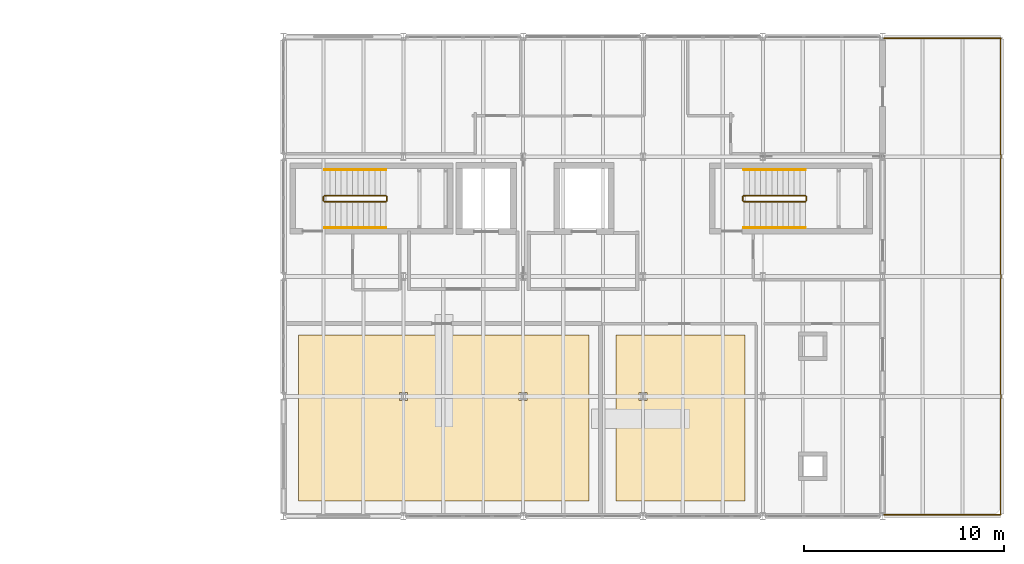
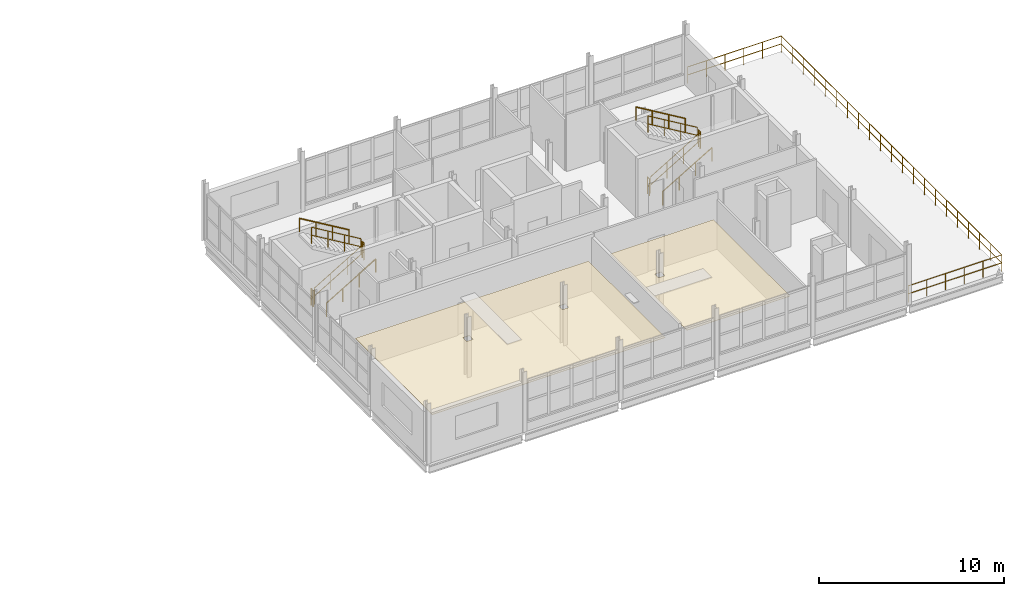
# One storey, part 23 of 23: 15 railings, 2 coverings.
"""IFC4 building model written with IfcOpenShell, lengths in metres."""

from ifc_helpers import new_model, si_unit, direction, frame, origin, origin_2d, place, context, subcontext, project, spatial, polyline, circle, outline, extrude, material, layer, layer_set, type_object, element, save


model = new_model("IFC4")

# Units and contexts
model_context = context("Model", 3, precision=1e-05, world=origin(), true_north=direction((0.0, 1.0)))
body_context = subcontext(model_context, "Body", "Model", "MODEL_VIEW")
ifc_project = project(units=[si_unit("LENGTHUNIT", "METRE"), si_unit("AREAUNIT", "SQUARE_METRE"), si_unit("VOLUMEUNIT", "CUBIC_METRE"), si_unit("PLANEANGLEUNIT", "RADIAN"), si_unit("MASSUNIT", "GRAM", prefix="KILO")], contexts=[model_context])

# Site, building, storey
site_placement = place(None, origin())
site = spatial("IfcSite", under=ifc_project, at=site_placement, CompositionType="ELEMENT")
building_placement = place(site_placement, origin())
building = spatial("IfcBuilding", under=site, at=building_placement, Name="Siltcreek Boulevard Central Fire Station", CompositionType="ELEMENT")
storey_placement = place(building_placement, frame((0.0, 0.0, 14.0)))
storey = spatial("IfcBuildingStorey", under=building, at=storey_placement, Name="L04", CompositionType="ELEMENT", Elevation=14.0)

# Coverings
ifc_material_1 = material(Name="Mineral-fiber acoustic ceiling tile", Category="gypsum")
ifc_layer = layer(ifc_material_1, 0.02490234375, Name="Mineral-fiber acoustic ceiling tile")
ifc_layer_set = layer_set([ifc_layer], Name="Mineral-fiber acoustic ceiling tile")
covering_type = type_object("IfcCoveringType", Name="COV_CEIL_ACT", PredefinedType="CEILING", material=ifc_layer_set)
covering_1_placement = place(storey_placement, frame((0.0, 0.0, 2.419921875)))
element("IfcCovering", 1, at=covering_1_placement, inside=storey, type_object=covering_type, Name="L04 Fire Alarm 911 Dispatch Floor acoustic ceiling ACT-035", PredefinedType="CEILING", context=body_context, shape_type="SweptSolid", body=[
    extrude(outline(polyline([(124.949951171875, 88.949951171875), (139.5, 88.949951171875), (139.5, 97.260009765625), (124.949951171875, 97.260009765625), (124.949951171875, 88.949951171875)]), holes=[polyline([(130.0, 94.0), (130.39990234375, 94.0), (130.39990234375, 94.39990234375), (130.0, 94.39990234375), (130.0, 94.0)]), polyline([(136.0, 94.0), (136.39990234375, 94.0), (136.39990234375, 94.39990234375), (136.0, 94.39990234375), (136.0, 94.0)])]), origin(), (0.0, 0.0, 1.0), 0.025146484375),
])
covering_2_placement = place(storey_placement, frame((0.0, 0.0, 2.419921875)))
element("IfcCovering", 2, at=covering_2_placement, inside=storey, type_object=covering_type, Name="L04 Tactical CAD Operations Room acoustic ceiling ACT-036", PredefinedType="CEILING", context=body_context, shape_type="SweptSolid", body=[
    extrude(outline(polyline([(140.85009765625, 88.949951171875), (147.300048828125, 88.949951171875), (147.300048828125, 97.260009765625), (140.85009765625, 97.260009765625), (140.85009765625, 88.949951171875)]), holes=[polyline([(142.0, 94.0), (142.39990234375, 94.0), (142.39990234375, 94.39990234375), (142.0, 94.39990234375), (142.0, 94.0)])]), origin(), (0.0, 0.0, 1.0), 0.025146484375),
])

# Railings
ifc_material_2 = material(Name="Painted galvanized steel stair guard", Category="steel")
railing_type_1 = type_object("IfcRailingType", Name="RL_ST_GUARD", PredefinedType="BALUSTRADE", material=ifc_material_2)
railing_1_placement = place(storey_placement, frame((126.25, 103.949951171875, 0.166748046875)))
element("IfcRailing", 3, at=railing_1_placement, inside=storey, type_object=railing_type_1, Name="L04 ST-V5A stair guard 1", PredefinedType="BALUSTRADE", context=body_context, shape_type="SweptSolid", body=[
    extrude(circle(Radius=0.02392578125, at=origin_2d()), frame((0.0, 0.0, 1.076171875), z_axis=(0.859308565015, 0.0, 0.511457515432), x_axis=(0.0, 1.0, 0.0)), (0.0, 0.0, 1.0), 3.58447265625),
    extrude(circle(Radius=0.02392578125, at=origin_2d()), frame((0.0, 0.0, 0.550048828125), z_axis=(0.859308565015, 0.0, 0.511457515432), x_axis=(0.0, 1.0, 0.0)), (0.0, 0.0, 1.0), 3.58447265625),
    extrude(circle(Radius=0.02099609375, at=origin_2d()), origin(), (0.0, 0.0, 1.0), 1.052001953125),
    extrude(circle(Radius=0.02099609375, at=origin_2d()), frame((1.026611328125, 0.0, 0.611083984375)), (0.0, 0.0, 1.0), 1.052001953125),
    extrude(circle(Radius=0.02099609375, at=origin_2d()), frame((2.053466796875, 0.0, 1.22216796875)), (0.0, 0.0, 1.0), 1.052001953125),
    extrude(circle(Radius=0.02099609375, at=origin_2d()), frame((3.080078125, 0.0, 1.833251953125)), (0.0, 0.0, 1.0), 1.052001953125),
])
railing_2_placement = place(storey_placement, frame((129.3798828125, 104.0, 2.0)))
element("IfcRailing", 4, at=railing_2_placement, inside=storey, type_object=railing_type_1, Name="L04 ST-V5A stair guard 2", PredefinedType="BALUSTRADE", context=body_context, shape_type="SweptSolid", body=[
    extrude(circle(Radius=0.02392578125, at=origin_2d()), frame((0.0, 0.0, 1.076171875), z_axis=(0.0, 1.0, 0.0), x_axis=(-1.0, 0.0, 0.0)), (0.0, 0.0, 1.0), 0.199951171875),
    extrude(circle(Radius=0.02392578125, at=origin_2d()), frame((0.0, 0.0, 0.550048828125), z_axis=(0.0, 1.0, 0.0), x_axis=(-1.0, 0.0, 0.0)), (0.0, 0.0, 1.0), 0.199951171875),
    extrude(circle(Radius=0.02099609375, at=origin_2d()), origin(), (0.0, 0.0, 1.0), 1.052001953125),
    extrude(circle(Radius=0.02099609375, at=origin_2d()), frame((0.0, 0.199951171875, 0.0)), (0.0, 0.0, 1.0), 1.052001953125),
])
railing_3_placement = place(storey_placement, frame((129.330078125, 104.25, 2.166748046875)))
element("IfcRailing", 5, at=railing_3_placement, inside=storey, type_object=railing_type_1, Name="L04 ST-V5A stair guard 3", PredefinedType="BALUSTRADE", context=body_context, shape_type="SweptSolid", body=[
    extrude(circle(Radius=0.02392578125, at=origin_2d()), frame((0.0, 0.0, 1.076171875), z_axis=(-0.859308565015, 0.0, 0.511457515432), x_axis=(0.0, -1.0, 0.0)), (0.0, 0.0, 1.0), 3.58447265625),
    extrude(circle(Radius=0.02392578125, at=origin_2d()), frame((0.0, 0.0, 0.550048828125), z_axis=(-0.859308565015, 0.0, 0.511457515432), x_axis=(0.0, -1.0, 0.0)), (0.0, 0.0, 1.0), 3.58447265625),
    extrude(circle(Radius=0.02099609375, at=origin_2d()), origin(), (0.0, 0.0, 1.0), 1.052001953125),
    extrude(circle(Radius=0.02099609375, at=origin_2d()), frame((-1.026611328125, 0.0, 0.611083984375)), (0.0, 0.0, 1.0), 1.052001953125),
    extrude(circle(Radius=0.02099609375, at=origin_2d()), frame((-2.053466796875, 0.0, 1.22216796875)), (0.0, 0.0, 1.0), 1.052001953125),
    extrude(circle(Radius=0.02099609375, at=origin_2d()), frame((-3.080078125, 0.0, 1.833251953125)), (0.0, 0.0, 1.0), 1.052001953125),
])
railing_4_placement = place(storey_placement, frame((126.199951171875, 104.0, 0.0)))
element("IfcRailing", 6, at=railing_4_placement, inside=storey, type_object=railing_type_1, Name="L04 ST-V5A stair guard 4", PredefinedType="BALUSTRADE", context=body_context, shape_type="SweptSolid", body=[
    extrude(circle(Radius=0.02392578125, at=origin_2d()), frame((0.0, 0.0, 1.076171875), z_axis=(0.0, 1.0, 0.0), x_axis=(-1.0, 0.0, 0.0)), (0.0, 0.0, 1.0), 0.199951171875),
    extrude(circle(Radius=0.02392578125, at=origin_2d()), frame((0.0, 0.0, 0.550048828125), z_axis=(0.0, 1.0, 0.0), x_axis=(-1.0, 0.0, 0.0)), (0.0, 0.0, 1.0), 0.199951171875),
    extrude(circle(Radius=0.02099609375, at=origin_2d()), origin(), (0.0, 0.0, 1.0), 1.052001953125),
    extrude(circle(Radius=0.02099609375, at=origin_2d()), frame((0.0, 0.199951171875, 0.0)), (0.0, 0.0, 1.0), 1.052001953125),
])
railing_5_placement = place(storey_placement, frame((147.25, 103.949951171875, 0.166748046875)))
element("IfcRailing", 7, at=railing_5_placement, inside=storey, type_object=railing_type_1, Name="L04 ST-V5B stair guard 1", PredefinedType="BALUSTRADE", context=body_context, shape_type="SweptSolid", body=[
    extrude(circle(Radius=0.02392578125, at=origin_2d()), frame((0.0, 0.0, 1.076171875), z_axis=(0.859308565015, 0.0, 0.511457515432), x_axis=(0.0, 1.0, 0.0)), (0.0, 0.0, 1.0), 3.58447265625),
    extrude(circle(Radius=0.02392578125, at=origin_2d()), frame((0.0, 0.0, 0.550048828125), z_axis=(0.859308565015, 0.0, 0.511457515432), x_axis=(0.0, 1.0, 0.0)), (0.0, 0.0, 1.0), 3.58447265625),
    extrude(circle(Radius=0.02099609375, at=origin_2d()), origin(), (0.0, 0.0, 1.0), 1.052001953125),
    extrude(circle(Radius=0.02099609375, at=origin_2d()), frame((1.026611328125, 0.0, 0.611083984375)), (0.0, 0.0, 1.0), 1.052001953125),
    extrude(circle(Radius=0.02099609375, at=origin_2d()), frame((2.053466796875, 0.0, 1.22216796875)), (0.0, 0.0, 1.0), 1.052001953125),
    extrude(circle(Radius=0.02099609375, at=origin_2d()), frame((3.080078125, 0.0, 1.833251953125)), (0.0, 0.0, 1.0), 1.052001953125),
])
railing_6_placement = place(storey_placement, frame((150.3798828125, 104.0, 2.0)))
element("IfcRailing", 8, at=railing_6_placement, inside=storey, type_object=railing_type_1, Name="L04 ST-V5B stair guard 2", PredefinedType="BALUSTRADE", context=body_context, shape_type="SweptSolid", body=[
    extrude(circle(Radius=0.02392578125, at=origin_2d()), frame((0.0, 0.0, 1.076171875), z_axis=(0.0, 1.0, 0.0), x_axis=(-1.0, 0.0, 0.0)), (0.0, 0.0, 1.0), 0.199951171875),
    extrude(circle(Radius=0.02392578125, at=origin_2d()), frame((0.0, 0.0, 0.550048828125), z_axis=(0.0, 1.0, 0.0), x_axis=(-1.0, 0.0, 0.0)), (0.0, 0.0, 1.0), 0.199951171875),
    extrude(circle(Radius=0.02099609375, at=origin_2d()), origin(), (0.0, 0.0, 1.0), 1.052001953125),
    extrude(circle(Radius=0.02099609375, at=origin_2d()), frame((0.0, 0.199951171875, 0.0)), (0.0, 0.0, 1.0), 1.052001953125),
])
railing_7_placement = place(storey_placement, frame((150.330078125, 104.25, 2.166748046875)))
element("IfcRailing", 9, at=railing_7_placement, inside=storey, type_object=railing_type_1, Name="L04 ST-V5B stair guard 3", PredefinedType="BALUSTRADE", context=body_context, shape_type="SweptSolid", body=[
    extrude(circle(Radius=0.02392578125, at=origin_2d()), frame((0.0, 0.0, 1.076171875), z_axis=(-0.859308565015, 0.0, 0.511457515432), x_axis=(0.0, -1.0, 0.0)), (0.0, 0.0, 1.0), 3.58447265625),
    extrude(circle(Radius=0.02392578125, at=origin_2d()), frame((0.0, 0.0, 0.550048828125), z_axis=(-0.859308565015, 0.0, 0.511457515432), x_axis=(0.0, -1.0, 0.0)), (0.0, 0.0, 1.0), 3.58447265625),
    extrude(circle(Radius=0.02099609375, at=origin_2d()), origin(), (0.0, 0.0, 1.0), 1.052001953125),
    extrude(circle(Radius=0.02099609375, at=origin_2d()), frame((-1.026611328125, 0.0, 0.611083984375)), (0.0, 0.0, 1.0), 1.052001953125),
    extrude(circle(Radius=0.02099609375, at=origin_2d()), frame((-2.053466796875, 0.0, 1.22216796875)), (0.0, 0.0, 1.0), 1.052001953125),
    extrude(circle(Radius=0.02099609375, at=origin_2d()), frame((-3.080078125, 0.0, 1.833251953125)), (0.0, 0.0, 1.0), 1.052001953125),
])
railing_8_placement = place(storey_placement, frame((147.199951171875, 104.0, 0.0)))
element("IfcRailing", 10, at=railing_8_placement, inside=storey, type_object=railing_type_1, Name="L04 ST-V5B stair guard 4", PredefinedType="BALUSTRADE", context=body_context, shape_type="SweptSolid", body=[
    extrude(circle(Radius=0.02392578125, at=origin_2d()), frame((0.0, 0.0, 1.076171875), z_axis=(0.0, 1.0, 0.0), x_axis=(-1.0, 0.0, 0.0)), (0.0, 0.0, 1.0), 0.199951171875),
    extrude(circle(Radius=0.02392578125, at=origin_2d()), frame((0.0, 0.0, 0.550048828125), z_axis=(0.0, 1.0, 0.0), x_axis=(-1.0, 0.0, 0.0)), (0.0, 0.0, 1.0), 0.199951171875),
    extrude(circle(Radius=0.02099609375, at=origin_2d()), origin(), (0.0, 0.0, 1.0), 1.052001953125),
    extrude(circle(Radius=0.02099609375, at=origin_2d()), frame((0.0, 0.199951171875, 0.0)), (0.0, 0.0, 1.0), 1.052001953125),
])
ifc_material_3 = material(Name="Brushed stainless steel stair handrail", Category="steel")
railing_type_2 = type_object("IfcRailingType", Name="RL_ST_HAND", PredefinedType="HANDRAIL", material=ifc_material_3)
railing_9_placement = place(storey_placement, frame((126.25, 102.64990234375, 0.166748046875)))
element("IfcRailing", 11, at=railing_9_placement, inside=storey, type_object=railing_type_2, Name="L04 ST-V5A stair handrail 1", PredefinedType="HANDRAIL", context=body_context, shape_type="SweptSolid", body=[
    extrude(circle(Radius=0.02392578125, at=origin_2d()), frame((0.0, 0.0, 0.8759765625), z_axis=(0.859308565015, 0.0, 0.511457515432), x_axis=(0.0, 1.0, 0.0)), (0.0, 0.0, 1.0), 3.58447265625),
    extrude(circle(Radius=0.02099609375, at=origin_2d()), origin(), (0.0, 0.0, 1.0), 0.851806640625),
    extrude(circle(Radius=0.02099609375, at=origin_2d()), frame((1.026611328125, 0.0, 0.611083984375)), (0.0, 0.0, 1.0), 0.851806640625),
    extrude(circle(Radius=0.02099609375, at=origin_2d()), frame((2.053466796875, 0.0, 1.22216796875)), (0.0, 0.0, 1.0), 0.851806640625),
    extrude(circle(Radius=0.02099609375, at=origin_2d()), frame((3.080078125, 0.0, 1.833251953125)), (0.0, 0.0, 1.0), 0.851806640625),
])
railing_10_placement = place(storey_placement, frame((129.330078125, 105.550048828125, 2.166748046875)))
element("IfcRailing", 12, at=railing_10_placement, inside=storey, type_object=railing_type_2, Name="L04 ST-V5A stair handrail 2", PredefinedType="HANDRAIL", context=body_context, shape_type="SweptSolid", body=[
    extrude(circle(Radius=0.02392578125, at=origin_2d()), frame((0.0, 0.0, 0.8759765625), z_axis=(-0.859308565015, 0.0, 0.511457515432), x_axis=(0.0, -1.0, 0.0)), (0.0, 0.0, 1.0), 3.58447265625),
    extrude(circle(Radius=0.02099609375, at=origin_2d()), origin(), (0.0, 0.0, 1.0), 0.851806640625),
    extrude(circle(Radius=0.02099609375, at=origin_2d()), frame((-1.026611328125, 0.0, 0.611083984375)), (0.0, 0.0, 1.0), 0.851806640625),
    extrude(circle(Radius=0.02099609375, at=origin_2d()), frame((-2.053466796875, 0.0, 1.22216796875)), (0.0, 0.0, 1.0), 0.851806640625),
    extrude(circle(Radius=0.02099609375, at=origin_2d()), frame((-3.080078125, 0.0, 1.833251953125)), (0.0, 0.0, 1.0), 0.851806640625),
])
railing_11_placement = place(storey_placement, frame((147.25, 102.64990234375, 0.166748046875)))
element("IfcRailing", 13, at=railing_11_placement, inside=storey, type_object=railing_type_2, Name="L04 ST-V5B stair handrail 1", PredefinedType="HANDRAIL", context=body_context, shape_type="SweptSolid", body=[
    extrude(circle(Radius=0.02392578125, at=origin_2d()), frame((0.0, 0.0, 0.8759765625), z_axis=(0.859308565015, 0.0, 0.511457515432), x_axis=(0.0, 1.0, 0.0)), (0.0, 0.0, 1.0), 3.58447265625),
    extrude(circle(Radius=0.02099609375, at=origin_2d()), origin(), (0.0, 0.0, 1.0), 0.851806640625),
    extrude(circle(Radius=0.02099609375, at=origin_2d()), frame((1.026611328125, 0.0, 0.611083984375)), (0.0, 0.0, 1.0), 0.851806640625),
    extrude(circle(Radius=0.02099609375, at=origin_2d()), frame((2.053466796875, 0.0, 1.22216796875)), (0.0, 0.0, 1.0), 0.851806640625),
    extrude(circle(Radius=0.02099609375, at=origin_2d()), frame((3.080078125, 0.0, 1.833251953125)), (0.0, 0.0, 1.0), 0.851806640625),
])
railing_12_placement = place(storey_placement, frame((150.330078125, 105.550048828125, 2.166748046875)))
element("IfcRailing", 14, at=railing_12_placement, inside=storey, type_object=railing_type_2, Name="L04 ST-V5B stair handrail 2", PredefinedType="HANDRAIL", context=body_context, shape_type="SweptSolid", body=[
    extrude(circle(Radius=0.02392578125, at=origin_2d()), frame((0.0, 0.0, 0.8759765625), z_axis=(-0.859308565015, 0.0, 0.511457515432), x_axis=(0.0, -1.0, 0.0)), (0.0, 0.0, 1.0), 3.58447265625),
    extrude(circle(Radius=0.02099609375, at=origin_2d()), origin(), (0.0, 0.0, 1.0), 0.851806640625),
    extrude(circle(Radius=0.02099609375, at=origin_2d()), frame((-1.026611328125, 0.0, 0.611083984375)), (0.0, 0.0, 1.0), 0.851806640625),
    extrude(circle(Radius=0.02099609375, at=origin_2d()), frame((-2.053466796875, 0.0, 1.22216796875)), (0.0, 0.0, 1.0), 0.851806640625),
    extrude(circle(Radius=0.02099609375, at=origin_2d()), frame((-3.080078125, 0.0, 1.833251953125)), (0.0, 0.0, 1.0), 0.851806640625),
])
ifc_material_4 = material(Name="Galvanized painted steel guardrail", Category="steel")
railing_type_3 = type_object("IfcRailingType", Name="RL_TER_GUARD", PredefinedType="BALUSTRADE", material=ifc_material_4)
railing_13_placement = place(storey_placement, frame((154.280029296875, 88.280029296875, 0.0)))
element("IfcRailing", 15, at=railing_13_placement, inside=storey, type_object=railing_type_3, Name="L04 V5 outdoor terrace perimeter guard 1.1", PredefinedType="BALUSTRADE", context=body_context, shape_type="SweptSolid", body=[
    extrude(circle(Radius=0.02392578125, at=origin_2d()), frame((0.0, 0.0, 1.076171875), z_axis=(1.0, 0.0, 0.0), x_axis=(0.0, 1.0, 0.0)), (0.0, 0.0, 1.0), 5.840087890625),
    extrude(circle(Radius=0.02392578125, at=origin_2d()), frame((0.0, 0.0, 0.550048828125), z_axis=(1.0, 0.0, 0.0), x_axis=(0.0, 1.0, 0.0)), (0.0, 0.0, 1.0), 5.840087890625),
    extrude(circle(Radius=0.02099609375, at=origin_2d()), origin(), (0.0, 0.0, 1.0), 1.052001953125),
    extrude(circle(Radius=0.02099609375, at=origin_2d()), frame((1.16796875, 0.0, 0.0)), (0.0, 0.0, 1.0), 1.052001953125),
    extrude(circle(Radius=0.02099609375, at=origin_2d()), frame((2.3359375, 0.0, 0.0)), (0.0, 0.0, 1.0), 1.052001953125),
    extrude(circle(Radius=0.02099609375, at=origin_2d()), frame((3.504150390625, 0.0, 0.0)), (0.0, 0.0, 1.0), 1.052001953125),
    extrude(circle(Radius=0.02099609375, at=origin_2d()), frame((4.672119140625, 0.0, 0.0)), (0.0, 0.0, 1.0), 1.052001953125),
    extrude(circle(Radius=0.02099609375, at=origin_2d()), frame((5.840087890625, 0.0, 0.0)), (0.0, 0.0, 1.0), 1.052001953125),
])
railing_14_placement = place(storey_placement, frame((160.1201171875, 88.280029296875, 0.0)))
element("IfcRailing", 16, at=railing_14_placement, inside=storey, type_object=railing_type_3, Name="L04 V5 outdoor terrace perimeter guard 1.2", PredefinedType="BALUSTRADE", context=body_context, shape_type="SweptSolid", body=[
    extrude(circle(Radius=0.02392578125, at=origin_2d()), frame((0.0, 0.0, 1.076171875), z_axis=(0.0, 1.0, 0.0), x_axis=(-1.0, 0.0, 0.0)), (0.0, 0.0, 1.0), 23.840087890625),
    extrude(circle(Radius=0.02392578125, at=origin_2d()), frame((0.0, 0.0, 0.550048828125), z_axis=(0.0, 1.0, 0.0), x_axis=(-1.0, 0.0, 0.0)), (0.0, 0.0, 1.0), 23.840087890625),
    extrude(circle(Radius=0.02099609375, at=origin_2d()), origin(), (0.0, 0.0, 1.0), 1.052001953125),
    extrude(circle(Radius=0.02099609375, at=origin_2d()), frame((0.0, 1.19189453125, 0.0)), (0.0, 0.0, 1.0), 1.052001953125),
    extrude(circle(Radius=0.02099609375, at=origin_2d()), frame((0.0, 2.384033203125, 0.0)), (0.0, 0.0, 1.0), 1.052001953125),
    extrude(circle(Radius=0.02099609375, at=origin_2d()), frame((0.0, 3.575927734375, 0.0)), (0.0, 0.0, 1.0), 1.052001953125),
    extrude(circle(Radius=0.02099609375, at=origin_2d()), frame((0.0, 4.76806640625, 0.0)), (0.0, 0.0, 1.0), 1.052001953125),
    extrude(circle(Radius=0.02099609375, at=origin_2d()), frame((0.0, 5.9599609375, 0.0)), (0.0, 0.0, 1.0), 1.052001953125),
    extrude(circle(Radius=0.02099609375, at=origin_2d()), frame((0.0, 7.152099609375, 0.0)), (0.0, 0.0, 1.0), 1.052001953125),
    extrude(circle(Radius=0.02099609375, at=origin_2d()), frame((0.0, 8.343994140625, 0.0)), (0.0, 0.0, 1.0), 1.052001953125),
    extrude(circle(Radius=0.02099609375, at=origin_2d()), frame((0.0, 9.5361328125, 0.0)), (0.0, 0.0, 1.0), 1.052001953125),
    extrude(circle(Radius=0.02099609375, at=origin_2d()), frame((0.0, 10.72802734375, 0.0)), (0.0, 0.0, 1.0), 1.052001953125),
    extrude(circle(Radius=0.02099609375, at=origin_2d()), frame((0.0, 11.919921875, 0.0)), (0.0, 0.0, 1.0), 1.052001953125),
    extrude(circle(Radius=0.02099609375, at=origin_2d()), frame((0.0, 13.112060546875, 0.0)), (0.0, 0.0, 1.0), 1.052001953125),
    extrude(circle(Radius=0.02099609375, at=origin_2d()), frame((0.0, 14.303955078125, 0.0)), (0.0, 0.0, 1.0), 1.052001953125),
    extrude(circle(Radius=0.02099609375, at=origin_2d()), frame((0.0, 15.49609375, 0.0)), (0.0, 0.0, 1.0), 1.052001953125),
    extrude(circle(Radius=0.02099609375, at=origin_2d()), frame((0.0, 16.68798828125, 0.0)), (0.0, 0.0, 1.0), 1.052001953125),
    extrude(circle(Radius=0.02099609375, at=origin_2d()), frame((0.0, 17.880126953125, 0.0)), (0.0, 0.0, 1.0), 1.052001953125),
    extrude(circle(Radius=0.02099609375, at=origin_2d()), frame((0.0, 19.072021484375, 0.0)), (0.0, 0.0, 1.0), 1.052001953125),
    extrude(circle(Radius=0.02099609375, at=origin_2d()), frame((0.0, 20.26416015625, 0.0)), (0.0, 0.0, 1.0), 1.052001953125),
    extrude(circle(Radius=0.02099609375, at=origin_2d()), frame((0.0, 21.4560546875, 0.0)), (0.0, 0.0, 1.0), 1.052001953125),
    extrude(circle(Radius=0.02099609375, at=origin_2d()), frame((0.0, 22.648193359375, 0.0)), (0.0, 0.0, 1.0), 1.052001953125),
    extrude(circle(Radius=0.02099609375, at=origin_2d()), frame((0.0, 23.840087890625, 0.0)), (0.0, 0.0, 1.0), 1.052001953125),
])
railing_15_placement = place(storey_placement, frame((160.1201171875, 112.1201171875, 0.0)))
element("IfcRailing", 17, at=railing_15_placement, inside=storey, type_object=railing_type_3, Name="L04 V5 outdoor terrace perimeter guard 1.3", PredefinedType="BALUSTRADE", context=body_context, shape_type="SweptSolid", body=[
    extrude(circle(Radius=0.02392578125, at=origin_2d()), frame((0.0, 0.0, 1.076171875), z_axis=(-1.0, 0.0, 0.0), x_axis=(0.0, -1.0, 0.0)), (0.0, 0.0, 1.0), 5.840087890625),
    extrude(circle(Radius=0.02392578125, at=origin_2d()), frame((0.0, 0.0, 0.550048828125), z_axis=(-1.0, 0.0, 0.0), x_axis=(0.0, -1.0, 0.0)), (0.0, 0.0, 1.0), 5.840087890625),
    extrude(circle(Radius=0.02099609375, at=origin_2d()), origin(), (0.0, 0.0, 1.0), 1.052001953125),
    extrude(circle(Radius=0.02099609375, at=origin_2d()), frame((-1.16796875, 0.0, 0.0)), (0.0, 0.0, 1.0), 1.052001953125),
    extrude(circle(Radius=0.02099609375, at=origin_2d()), frame((-2.3359375, 0.0, 0.0)), (0.0, 0.0, 1.0), 1.052001953125),
    extrude(circle(Radius=0.02099609375, at=origin_2d()), frame((-3.504150390625, 0.0, 0.0)), (0.0, 0.0, 1.0), 1.052001953125),
    extrude(circle(Radius=0.02099609375, at=origin_2d()), frame((-4.672119140625, 0.0, 0.0)), (0.0, 0.0, 1.0), 1.052001953125),
    extrude(circle(Radius=0.02099609375, at=origin_2d()), frame((-5.840087890625, 0.0, 0.0)), (0.0, 0.0, 1.0), 1.052001953125),
])

save(model, "model.ifc")
